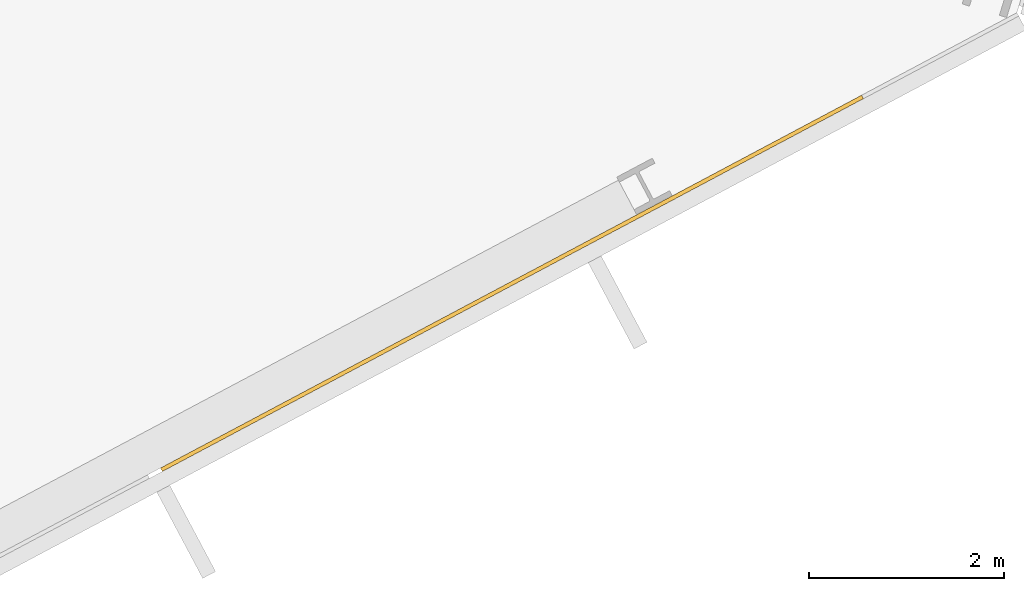
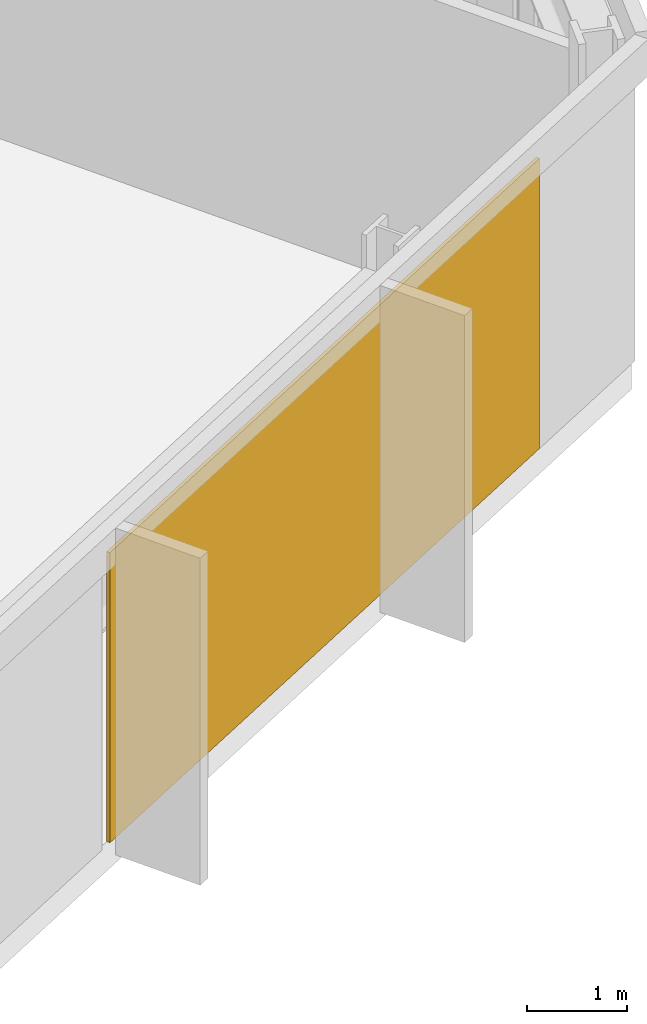
# One storey, part 26 of 28: 1 covering, 1 element without a shape of its own.
"""IFC4 building model written with IfcOpenShell, lengths in metres."""

import ifcopenshell
import ifcopenshell.guid

model = None  # the IFC model being written
_history = None  # IfcOwnerHistory: only IFC2X3 demands one
_inside = {}  # id of a spatial element -> (the spatial element, [elements in it])
_under = {}  # id of a project, library or spatial element -> (it, [spatial elements below it])
_declared = {}  # id of a project -> (the project, [libraries it declares])
_typed = {}  # id of a type object -> (the type object, [elements of that type])
_made_of = {}  # id of a material, layer set ... -> (it, [elements and type objects made of it])


def new_model(schema):
    """Start an empty IFC model of exactly this schema.

    Asked for "IFC4X3", IfcOpenShell would pick the latest addendum, in which some entities
    have other attributes; the version numbers below select the first issue.
    IFC2X3 requires an IfcOwnerHistory on every rooted entity: one is made here for all.
    """
    global model, _history
    if schema == "IFC4X3":
        model = ifcopenshell.file(schema_version=(4, 3, 0, 0))
    else:
        model = ifcopenshell.file(schema=schema)
    _inside.clear()
    _under.clear()
    _declared.clear()
    _typed.clear()
    _made_of.clear()
    _history = None
    if model.schema == "IFC2X3":
        org = make("IfcOrganization", Name="unknown")
        user = make(
            "IfcPersonAndOrganization",
            ThePerson=make("IfcPerson", FamilyName="unknown"),
            TheOrganization=org,
        )
        app = make(
            "IfcApplication",
            ApplicationDeveloper=org,
            Version="unknown",
            ApplicationFullName="unknown",
            ApplicationIdentifier="unknown",
        )
        _history = make(
            "IfcOwnerHistory",
            OwningUser=user,
            OwningApplication=app,
            ChangeAction="ADDED",
            CreationDate=0,
        )
    return model


def make(cls, **values):
    """One entity of the class cls with the attributes given. An attribute that is None is left unset."""
    return model.create_entity(
        cls, **{name: value for name, value in values.items() if value is not None}
    )


def rooted(cls, **values):
    """An entity with a GlobalId (a new one), such as an element, a storey or a relation."""
    return make(cls, GlobalId=ifcopenshell.guid.new(), OwnerHistory=_history, **values)


def si_unit(unit_type, name, prefix=None):
    """IfcSIUnit, for example si_unit("LENGTHUNIT", "METRE", prefix="MILLI")."""
    return make("IfcSIUnit", UnitType=unit_type, Prefix=prefix, Name=name)


def assignment(units):
    """IfcUnitAssignment: the units of a project."""
    return None if units is None else make("IfcUnitAssignment", Units=units)


def point(xyz):
    """IfcCartesianPoint."""
    return None if xyz is None else make("IfcCartesianPoint", Coordinates=xyz)


def direction(xyz):
    """IfcDirection."""
    return None if xyz is None else make("IfcDirection", DirectionRatios=xyz)


def frame(location, z_axis=None, x_axis=None):
    """IfcAxis2Placement3D, a coordinate frame: its origin and axes. An axis left out is left unset."""
    return make(
        "IfcAxis2Placement3D",
        Location=point(location),
        Axis=direction(z_axis),
        RefDirection=direction(x_axis),
    )


def frame_2d(location, x_axis=None):
    """IfcAxis2Placement2D, a coordinate frame in the plane: its origin and x axis."""
    return make(
        "IfcAxis2Placement2D", Location=point(location), RefDirection=direction(x_axis)
    )


def origin():
    """The frame at (0, 0, 0) with its axes left unset."""
    return frame((0.0, 0.0, 0.0))


def origin_2d():
    """The frame at (0, 0) in the plane with its x axis left unset."""
    return frame_2d((0.0, 0.0))


def place(relative_to, where):
    """IfcLocalPlacement: puts the frame where relative to a parent placement (None: the world)."""
    return make(
        "IfcLocalPlacement", PlacementRelTo=relative_to, RelativePlacement=where
    )


def context(
    kind, dimensions, precision=None, world=None, true_north=None, identifier=None
):
    """IfcGeometricRepresentationContext, for example the 3D "Model" context."""
    return make(
        "IfcGeometricRepresentationContext",
        ContextIdentifier=identifier,
        ContextType=kind,
        CoordinateSpaceDimension=dimensions,
        Precision=precision,
        WorldCoordinateSystem=world,
        TrueNorth=true_north,
    )


def subcontext(parent, identifier, kind, view, scale=None):
    """IfcGeometricRepresentationSubContext, for example "Body" below "Model"."""
    return make(
        "IfcGeometricRepresentationSubContext",
        ContextIdentifier=identifier,
        ContextType=kind,
        ParentContext=parent,
        TargetScale=scale,
        TargetView=view,
    )


def project(units=None, contexts=None):
    """IfcProject with its units and contexts."""
    return rooted(
        "IfcProject",
        Name="project",
        RepresentationContexts=contexts,
        UnitsInContext=assignment(units),
    )


def spatial(cls, under=None, at=None, **own):
    """A site, building, storey or space (cls), placed at a placement, below another one or the project."""
    s = rooted(cls, ObjectPlacement=at, **own)
    if under is not None:
        _under.setdefault(under.id(), (under, []))[1].append(s)
    return s


def profile(cls, at=None, kind="AREA", **sizes):
    """A parametric profile (cls). Its sizes go by their IFC names, for example OverallWidth=200.0."""
    return make(cls, ProfileType=kind, Position=at, **sizes)


def rectangle(**sizes):
    """IfcRectangleProfileDef."""
    return profile("IfcRectangleProfileDef", **sizes)


def extrude(swept, where, along, depth):
    """IfcExtrudedAreaSolid: the profile swept, set in the frame where, extruded along a direction by depth."""
    return make(
        "IfcExtrudedAreaSolid",
        SweptArea=swept,
        Position=where,
        ExtrudedDirection=direction(along),
        Depth=depth,
    )


def shape(context_of_items, identifier, shape_type, items):
    """IfcShapeRepresentation: the items that make up one representation, for example the "Body"."""
    return make(
        "IfcShapeRepresentation",
        ContextOfItems=context_of_items,
        RepresentationIdentifier=identifier,
        RepresentationType=shape_type,
        Items=items,
    )


def material(Name=None, Category=None):
    """IfcMaterial."""
    return make("IfcMaterial", Name=Name, Category=Category)


def layer(
    of_material, thickness, ventilated=None, Name=None, Category=None, Priority=None
):
    """IfcMaterialLayer: one layer of a wall or slab, of a material (None: an air gap)."""
    return make(
        "IfcMaterialLayer",
        Material=of_material,
        LayerThickness=thickness,
        IsVentilated=ventilated,
        Name=Name,
        Category=Category,
        Priority=Priority,
    )


def layer_set(layers, Name=None):
    """IfcMaterialLayerSet."""
    return make("IfcMaterialLayerSet", MaterialLayers=layers, LayerSetName=Name)


def made_of(thing, what):
    """Note that an element or type object is made of a material, layer set ...; save() writes the relation."""
    if what is not None:
        _made_of.setdefault(what.id(), (what, []))[1].append(thing)
    return thing


def type_object(cls, material=None, **own):
    """A type object (cls), such as IfcWallType, which elements share."""
    return made_of(rooted(cls, **own), material)


def element(
    cls,
    number,
    at=None,
    inside=None,
    cuts=None,
    type_object=None,
    material=None,
    context=None,
    identifier="Body",
    shape_type=None,
    held_by="IfcProductDefinitionShape",
    body=None,
    shapes=None,
    **own,
):
    """One element of the class cls, such as IfcWall. Its Tag is "e" and its number.

    at: its placement. inside: the storey or other place that contains it. cuts: it is an
    opening in that element (IfcRelVoidsElement). A single representation is given by context,
    identifier, shape_type and body (its items); several are given by shapes. held_by: the class
    of the entity that holds the representations. save() writes the other relations.
    """
    e = rooted(cls, Tag="e%d" % number, ObjectPlacement=at, **own)
    if body is not None:
        shapes = [shape(context, identifier, shape_type, body)]
    if shapes is not None:
        e.Representation = make(held_by, Representations=shapes)
    if inside is not None:
        _inside.setdefault(inside.id(), (inside, []))[1].append(e)
    if cuts is not None:
        rooted(
            "IfcRelVoidsElement", RelatingBuildingElement=cuts, RelatedOpeningElement=e
        )
    if type_object is not None:
        _typed.setdefault(type_object.id(), (type_object, []))[1].append(e)
    return made_of(e, material)


def aggregate(whole, parts):
    """IfcRelAggregates: a whole, such as a stair, and the parts it consists of."""
    return rooted("IfcRelAggregates", RelatingObject=whole, RelatedObjects=parts)


def save(model, path):
    """Write the relations noted so far, then the file.

    IfcRelAggregates (storeys below a building ...), IfcRelContainedInSpatialStructure (elements
    in a storey), IfcRelDefinesByType, IfcRelAssociatesMaterial and IfcRelDeclares: one each for
    every whole, place, type object, material and project.
    """
    for whole, parts in _under.values():
        aggregate(whole, parts)
    for where, things in _inside.values():
        rooted(
            "IfcRelContainedInSpatialStructure",
            RelatedElements=things,
            RelatingStructure=where,
        )
    for kind, things in _typed.values():
        rooted("IfcRelDefinesByType", RelatedObjects=things, RelatingType=kind)
    for what, things in _made_of.values():
        rooted("IfcRelAssociatesMaterial", RelatedObjects=things, RelatingMaterial=what)
    for by, libraries in _declared.values():
        rooted("IfcRelDeclares", RelatingContext=by, RelatedDefinitions=libraries)
    model.write(path)


model = new_model("IFC4")

# Units and contexts
model_context = context("Model", 3, precision=1e-05, world=origin(), true_north=direction((0.0, 1.0)))
body_context = subcontext(model_context, "Body", "Model", "MODEL_VIEW")
ifc_project = project(units=[si_unit("LENGTHUNIT", "METRE"), si_unit("AREAUNIT", "SQUARE_METRE"), si_unit("VOLUMEUNIT", "CUBIC_METRE"), si_unit("PLANEANGLEUNIT", "RADIAN"), si_unit("MASSUNIT", "GRAM", prefix="KILO")], contexts=[model_context])

# Site, building, storey
site_placement = place(None, origin())
site = spatial("IfcSite", under=ifc_project, at=site_placement, CompositionType="ELEMENT")
building_placement = place(site_placement, origin())
building = spatial("IfcBuilding", under=site, at=building_placement, Name="Cormorant Relay Tower", CompositionType="ELEMENT")
storey_placement = place(building_placement, frame((0.0, 0.0, 174.199951171875)))
storey = spatial("IfcBuildingStorey", under=building, at=storey_placement, Name="L37", CompositionType="ELEMENT", Elevation=174.199951171875)

# Curtain wall, covering
ifc_material_1 = material(Name="Aluminium 6063-T6 anodised bronze", Category="aluminium")
ifc_layer_1 = layer(ifc_material_1, 0.199951171875)
ifc_layer_set_1 = layer_set([ifc_layer_1], Name="CW1 unitised bronze curtain wall with vertical fins")
curtain_wall_type = type_object("IfcCurtainWallType", Name="CW1 unitised bronze curtain wall with vertical fins", PredefinedType="NOTDEFINED", material=ifc_layer_set_1)
curtain_wall_placement = place(storey_placement, origin())
curtain_wall = element("IfcCurtainWall", 1, at=curtain_wall_placement, inside=storey, type_object=curtain_wall_type, Name="CW1 curtain wall 4", PredefinedType="NOTDEFINED")
ifc_material_2 = material(Name="Pale bronze anodised aluminium insulated panel", Category="aluminium")
ifc_layer_2 = layer(ifc_material_2, 0.0400390625)
ifc_layer_set_2 = layer_set([ifc_layer_2], Name="CW1 pale bronze insulated panel 40")
covering_type = type_object("IfcCoveringType", Name="CW1 pale bronze insulated panel 40", PredefinedType="CLADDING", material=ifc_layer_set_2)
covering_placement = place(storey_placement, frame((50.54931640625, 5.336181640625, 0.0), z_axis=(0.0, 0.0, 1.0), x_axis=(0.882947592859, 0.469471562786, 0.0)))
covering = element("IfcCovering", 2, at=covering_placement, type_object=covering_type, Name="CW1 panel S04", PredefinedType="CLADDING", context=body_context, shape_type="SweptSolid", body=[
    extrude(rectangle(XDim=8.125, YDim=0.0400390625, at=origin_2d()), origin(), (0.0, 0.0, 1.0), 3.550048828125),
])
aggregate(curtain_wall, [covering])

save(model, "model.ifc")
